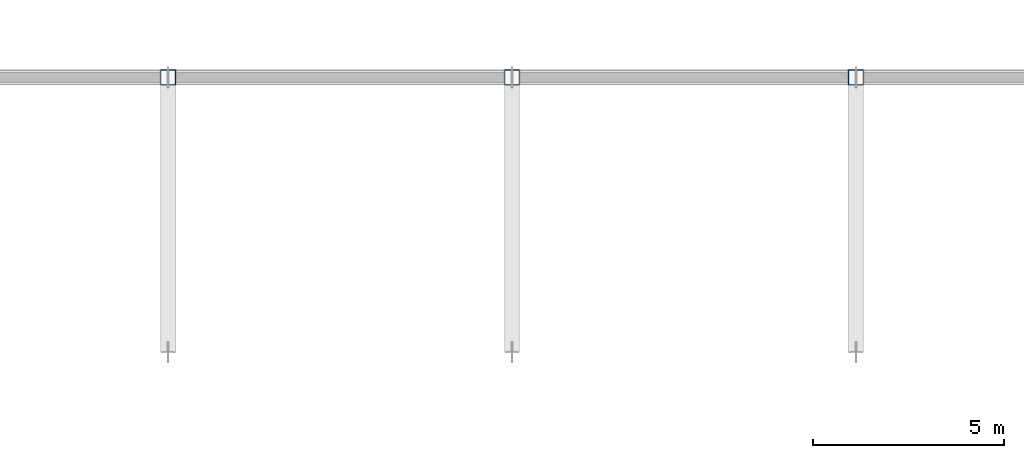
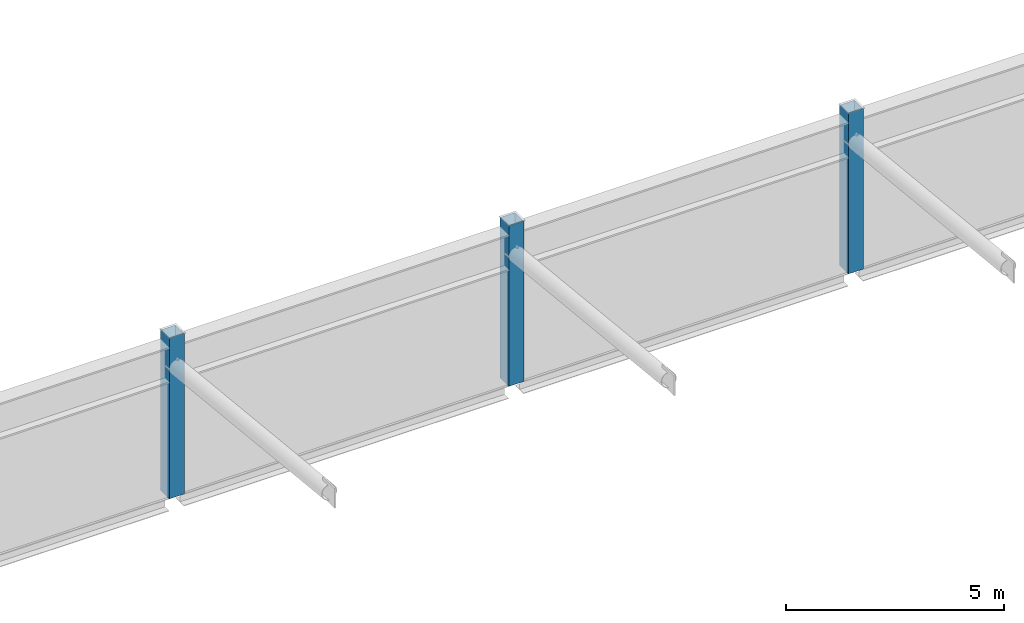
# One storey, part 10 of 124: 3 columns.
"""IFC4 building model written with IfcOpenShell, lengths in metres."""

from ifc_helpers import new_model, si_unit, direction, frame, origin, origin_2d, place, context, subcontext, project, spatial, hollow_rectangle, extrude, material, material_profile, profile_set, type_object, element, save


model = new_model("IFC4")

# Units and contexts
model_context = context("Model", 3, precision=1e-05, world=origin(), true_north=direction((0.0, 1.0)))
body_context = subcontext(model_context, "Body", "Model", "MODEL_VIEW")
ifc_project = project(units=[si_unit("LENGTHUNIT", "METRE"), si_unit("AREAUNIT", "SQUARE_METRE"), si_unit("VOLUMEUNIT", "CUBIC_METRE"), si_unit("PLANEANGLEUNIT", "RADIAN"), si_unit("MASSUNIT", "GRAM", prefix="KILO")], contexts=[model_context])

# Site, building, storey
site_placement = place(None, origin())
site = spatial("IfcSite", under=ifc_project, at=site_placement, CompositionType="ELEMENT")
building_placement = place(site_placement, origin())
building = spatial("IfcBuilding", under=site, at=building_placement, Name="Celestram Park Convention Centre", CompositionType="ELEMENT")
storey_placement = place(building_placement, frame((0.0, 0.0, 15.300048828125)))
storey = spatial("IfcBuildingStorey", under=building, at=storey_placement, Name="L03", CompositionType="ELEMENT", Elevation=15.300048828125)

# Columns
ifc_material = material(Name="Steel ASTM A500 Grade C", Category="steel")
ifc_material_profile = material_profile(ifc_material, hollow_rectangle(XDim=0.39990234375, YDim=0.39990234375, WallThickness=0.01611328125, at=origin_2d()), Name="HSS400X400X16")
ifc_profile_set = profile_set([ifc_material_profile], Name="Steel ASTM A500 Grade C")
column_type = type_object("IfcColumnType", Name="STR-COL-HSS400", PredefinedType="COLUMN", material=ifc_profile_set)
for number, where, z_axis, x_axis, name in (
    (1, (171.0, 165.60009765625, 0.0), (0.0, 0.0, 1.0), (1.0, 0.0, 0.0), "Column CN-L03-154"),
    (2, (180.0, 165.60009765625, 0.0), (0.0, 0.0, 1.0), (1.0, 0.0, 0.0), "Column CN-L03-156"),
    (3, (189.0, 165.60009765625, 0.0), (0.0, 0.0, 1.0), (1.0, 0.0, 0.0), "Column CN-L03-158"),
):
    element("IfcColumn", number, at=place(storey_placement, frame(where, z_axis=z_axis, x_axis=x_axis)), inside=storey, type_object=column_type, Name=name, PredefinedType="COLUMN", context=body_context, shape_type="SweptSolid", body=[
        extrude(hollow_rectangle(XDim=0.39990234375, YDim=0.39990234375, WallThickness=0.01611328125, at=origin_2d()), origin(), (0.0, 0.0, 1.0), 4.5),
    ])

save(model, "model.ifc")
